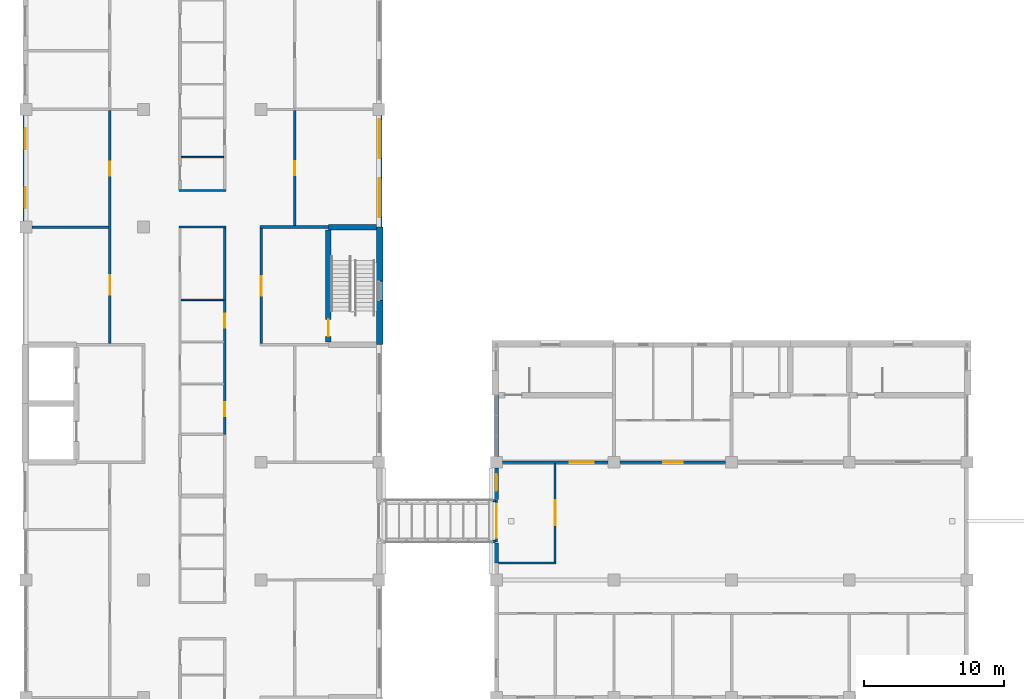
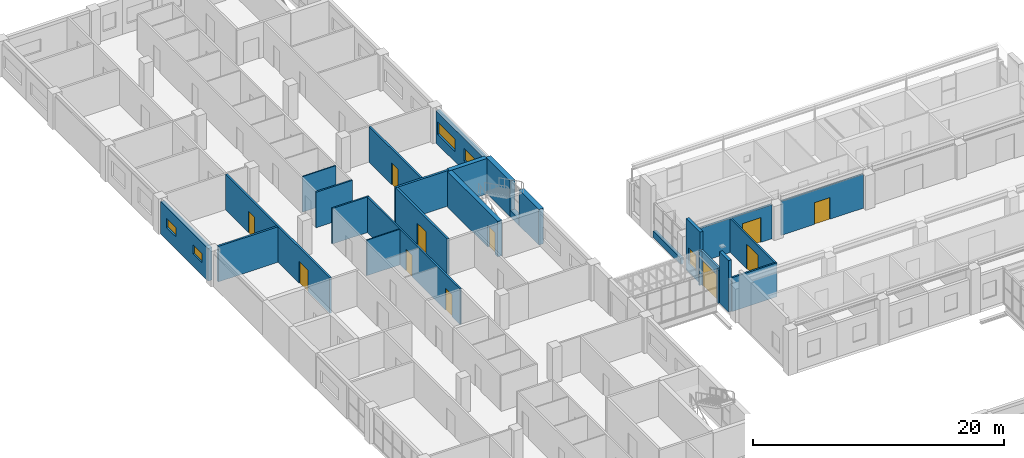
# One storey, part 66 of 94: 27 walls, 11 doors, 5 windows, 16 openings.
"""IFC4 building model written with IfcOpenShell, lengths in metres."""

import ifcopenshell
import ifcopenshell.guid

model = None  # the IFC model being written
_history = None  # IfcOwnerHistory: only IFC2X3 demands one
_inside = {}  # id of a spatial element -> (the spatial element, [elements in it])
_under = {}  # id of a project, library or spatial element -> (it, [spatial elements below it])
_declared = {}  # id of a project -> (the project, [libraries it declares])
_typed = {}  # id of a type object -> (the type object, [elements of that type])
_made_of = {}  # id of a material, layer set ... -> (it, [elements and type objects made of it])


def new_model(schema):
    """Start an empty IFC model of exactly this schema.

    Asked for "IFC4X3", IfcOpenShell would pick the latest addendum, in which some entities
    have other attributes; the version numbers below select the first issue.
    IFC2X3 requires an IfcOwnerHistory on every rooted entity: one is made here for all.
    """
    global model, _history
    if schema == "IFC4X3":
        model = ifcopenshell.file(schema_version=(4, 3, 0, 0))
    else:
        model = ifcopenshell.file(schema=schema)
    _inside.clear()
    _under.clear()
    _declared.clear()
    _typed.clear()
    _made_of.clear()
    _history = None
    if model.schema == "IFC2X3":
        org = make("IfcOrganization", Name="unknown")
        user = make(
            "IfcPersonAndOrganization",
            ThePerson=make("IfcPerson", FamilyName="unknown"),
            TheOrganization=org,
        )
        app = make(
            "IfcApplication",
            ApplicationDeveloper=org,
            Version="unknown",
            ApplicationFullName="unknown",
            ApplicationIdentifier="unknown",
        )
        _history = make(
            "IfcOwnerHistory",
            OwningUser=user,
            OwningApplication=app,
            ChangeAction="ADDED",
            CreationDate=0,
        )
    return model


def make(cls, **values):
    """One entity of the class cls with the attributes given. An attribute that is None is left unset."""
    return model.create_entity(
        cls, **{name: value for name, value in values.items() if value is not None}
    )


def rooted(cls, **values):
    """An entity with a GlobalId (a new one), such as an element, a storey or a relation."""
    return make(cls, GlobalId=ifcopenshell.guid.new(), OwnerHistory=_history, **values)


def si_unit(unit_type, name, prefix=None):
    """IfcSIUnit, for example si_unit("LENGTHUNIT", "METRE", prefix="MILLI")."""
    return make("IfcSIUnit", UnitType=unit_type, Prefix=prefix, Name=name)


def assignment(units):
    """IfcUnitAssignment: the units of a project."""
    return None if units is None else make("IfcUnitAssignment", Units=units)


def point(xyz):
    """IfcCartesianPoint."""
    return None if xyz is None else make("IfcCartesianPoint", Coordinates=xyz)


def direction(xyz):
    """IfcDirection."""
    return None if xyz is None else make("IfcDirection", DirectionRatios=xyz)


def frame(location, z_axis=None, x_axis=None):
    """IfcAxis2Placement3D, a coordinate frame: its origin and axes. An axis left out is left unset."""
    return make(
        "IfcAxis2Placement3D",
        Location=point(location),
        Axis=direction(z_axis),
        RefDirection=direction(x_axis),
    )


def frame_2d(location, x_axis=None):
    """IfcAxis2Placement2D, a coordinate frame in the plane: its origin and x axis."""
    return make(
        "IfcAxis2Placement2D", Location=point(location), RefDirection=direction(x_axis)
    )


def origin():
    """The frame at (0, 0, 0) with its axes left unset."""
    return frame((0.0, 0.0, 0.0))


def place(relative_to, where):
    """IfcLocalPlacement: puts the frame where relative to a parent placement (None: the world)."""
    return make(
        "IfcLocalPlacement", PlacementRelTo=relative_to, RelativePlacement=where
    )


def context(
    kind, dimensions, precision=None, world=None, true_north=None, identifier=None
):
    """IfcGeometricRepresentationContext, for example the 3D "Model" context."""
    return make(
        "IfcGeometricRepresentationContext",
        ContextIdentifier=identifier,
        ContextType=kind,
        CoordinateSpaceDimension=dimensions,
        Precision=precision,
        WorldCoordinateSystem=world,
        TrueNorth=true_north,
    )


def subcontext(parent, identifier, kind, view, scale=None):
    """IfcGeometricRepresentationSubContext, for example "Body" below "Model"."""
    return make(
        "IfcGeometricRepresentationSubContext",
        ContextIdentifier=identifier,
        ContextType=kind,
        ParentContext=parent,
        TargetScale=scale,
        TargetView=view,
    )


def project(units=None, contexts=None):
    """IfcProject with its units and contexts."""
    return rooted(
        "IfcProject",
        Name="project",
        RepresentationContexts=contexts,
        UnitsInContext=assignment(units),
    )


def spatial(cls, under=None, at=None, **own):
    """A site, building, storey or space (cls), placed at a placement, below another one or the project."""
    s = rooted(cls, ObjectPlacement=at, **own)
    if under is not None:
        _under.setdefault(under.id(), (under, []))[1].append(s)
    return s


def profile(cls, at=None, kind="AREA", **sizes):
    """A parametric profile (cls). Its sizes go by their IFC names, for example OverallWidth=200.0."""
    return make(cls, ProfileType=kind, Position=at, **sizes)


def rectangle(**sizes):
    """IfcRectangleProfileDef."""
    return profile("IfcRectangleProfileDef", **sizes)


def extrude(swept, where, along, depth):
    """IfcExtrudedAreaSolid: the profile swept, set in the frame where, extruded along a direction by depth."""
    return make(
        "IfcExtrudedAreaSolid",
        SweptArea=swept,
        Position=where,
        ExtrudedDirection=direction(along),
        Depth=depth,
    )


def shape(context_of_items, identifier, shape_type, items):
    """IfcShapeRepresentation: the items that make up one representation, for example the "Body"."""
    return make(
        "IfcShapeRepresentation",
        ContextOfItems=context_of_items,
        RepresentationIdentifier=identifier,
        RepresentationType=shape_type,
        Items=items,
    )


def material(Name=None, Category=None):
    """IfcMaterial."""
    return make("IfcMaterial", Name=Name, Category=Category)


def layer(
    of_material, thickness, ventilated=None, Name=None, Category=None, Priority=None
):
    """IfcMaterialLayer: one layer of a wall or slab, of a material (None: an air gap)."""
    return make(
        "IfcMaterialLayer",
        Material=of_material,
        LayerThickness=thickness,
        IsVentilated=ventilated,
        Name=Name,
        Category=Category,
        Priority=Priority,
    )


def layer_set(layers, Name=None):
    """IfcMaterialLayerSet."""
    return make("IfcMaterialLayerSet", MaterialLayers=layers, LayerSetName=Name)


def made_of(thing, what):
    """Note that an element or type object is made of a material, layer set ...; save() writes the relation."""
    if what is not None:
        _made_of.setdefault(what.id(), (what, []))[1].append(thing)
    return thing


def type_object(cls, material=None, **own):
    """A type object (cls), such as IfcWallType, which elements share."""
    return made_of(rooted(cls, **own), material)


def element(
    cls,
    number,
    at=None,
    inside=None,
    cuts=None,
    type_object=None,
    material=None,
    context=None,
    identifier="Body",
    shape_type=None,
    held_by="IfcProductDefinitionShape",
    body=None,
    shapes=None,
    **own,
):
    """One element of the class cls, such as IfcWall. Its Tag is "e" and its number.

    at: its placement. inside: the storey or other place that contains it. cuts: it is an
    opening in that element (IfcRelVoidsElement). A single representation is given by context,
    identifier, shape_type and body (its items); several are given by shapes. held_by: the class
    of the entity that holds the representations. save() writes the other relations.
    """
    e = rooted(cls, Tag="e%d" % number, ObjectPlacement=at, **own)
    if body is not None:
        shapes = [shape(context, identifier, shape_type, body)]
    if shapes is not None:
        e.Representation = make(held_by, Representations=shapes)
    if inside is not None:
        _inside.setdefault(inside.id(), (inside, []))[1].append(e)
    if cuts is not None:
        rooted(
            "IfcRelVoidsElement", RelatingBuildingElement=cuts, RelatedOpeningElement=e
        )
    if type_object is not None:
        _typed.setdefault(type_object.id(), (type_object, []))[1].append(e)
    return made_of(e, material)


def fill(opening, filler):
    """IfcRelFillsElement: the door or window that sits in an opening."""
    return rooted(
        "IfcRelFillsElement",
        RelatingOpeningElement=opening,
        RelatedBuildingElement=filler,
    )


def aggregate(whole, parts):
    """IfcRelAggregates: a whole, such as a stair, and the parts it consists of."""
    return rooted("IfcRelAggregates", RelatingObject=whole, RelatedObjects=parts)


def save(model, path):
    """Write the relations noted so far, then the file.

    IfcRelAggregates (storeys below a building ...), IfcRelContainedInSpatialStructure (elements
    in a storey), IfcRelDefinesByType, IfcRelAssociatesMaterial and IfcRelDeclares: one each for
    every whole, place, type object, material and project.
    """
    for whole, parts in _under.values():
        aggregate(whole, parts)
    for where, things in _inside.values():
        rooted(
            "IfcRelContainedInSpatialStructure",
            RelatedElements=things,
            RelatingStructure=where,
        )
    for kind, things in _typed.values():
        rooted("IfcRelDefinesByType", RelatedObjects=things, RelatingType=kind)
    for what, things in _made_of.values():
        rooted("IfcRelAssociatesMaterial", RelatedObjects=things, RelatingMaterial=what)
    for by, libraries in _declared.values():
        rooted("IfcRelDeclares", RelatingContext=by, RelatedDefinitions=libraries)
    model.write(path)


model = new_model("IFC4")

# Units and contexts
model_context = context("Model", 3, precision=1e-05, world=origin(), true_north=direction((0.0, 1.0)))
body_context = subcontext(model_context, "Body", "Model", "MODEL_VIEW")
ifc_project = project(units=[si_unit("LENGTHUNIT", "METRE"), si_unit("AREAUNIT", "SQUARE_METRE"), si_unit("VOLUMEUNIT", "CUBIC_METRE"), si_unit("PLANEANGLEUNIT", "RADIAN"), si_unit("MASSUNIT", "GRAM", prefix="KILO")], contexts=[model_context])

# Site, building, storey
site_placement = place(None, origin())
site = spatial("IfcSite", under=ifc_project, at=site_placement, CompositionType="ELEMENT")
building_placement = place(site_placement, origin())
building = spatial("IfcBuilding", under=site, at=building_placement, Name="Yavir Park General Hospital", CompositionType="ELEMENT")
storey_placement = place(building_placement, frame((0.0, 0.0, 4.5)))
storey = spatial("IfcBuildingStorey", under=building, at=storey_placement, Name="L01", CompositionType="ELEMENT", Elevation=4.5)

# Wall
ifc_material_1 = material(Name="Double-leaf gypsum board acoustic partition on staggered studs")
ifc_layer_1 = layer(ifc_material_1, 0.175048828125)
ifc_layer_set_1 = layer_set([ifc_layer_1], Name="Double-leaf gypsum board acoustic partition on staggered studs")
wall_type_1 = type_object("IfcWallType", Name="Acoustic partition 175", PredefinedType="PARTITIONING", material=ifc_layer_set_1)
wall_1_placement = place(storey_placement, frame((0.425048828125, 84.0, 0.0), z_axis=(0.0, 0.0, 1.0), x_axis=(1.0, 0.0, 0.0)))
element("IfcWall", 1, at=wall_1_placement, inside=storey, type_object=wall_type_1, Name="AP175 L01-224", PredefinedType="PARTITIONING", context=body_context, shape_type="SweptSolid", body=[
    extrude(rectangle(XDim=5.487548828125, YDim=0.175048828125, at=frame_2d((2.74365234375, 0.0))), origin(), (0.0, 0.0, 1.0), 3.449951171875),
])

# Wall, openings, doors
wall_2_placement = place(storey_placement, frame((6.0, 75.699951171875, 0.0), z_axis=(0.0, 0.0, 1.0), x_axis=(0.0, 1.0, 0.0)))
wall_2 = element("IfcWall", 2, at=wall_2_placement, inside=storey, type_object=wall_type_1, Name="AP175 L01-281", PredefinedType="PARTITIONING", context=body_context, shape_type="SweptSolid", body=[
    extrude(rectangle(XDim=16.612548828125, YDim=0.175048828125, at=frame_2d((8.30615234375, 0.0))), origin(), (0.0, 0.0, 1.0), 3.449951171875),
])
opening_1_placement = place(wall_2_placement, frame((3.449951171875, 0.0, 0.0)))
opening_1 = element("IfcOpeningElement", 3, at=opening_1_placement, cuts=wall_2, Name="Opening L01.D172", PredefinedType="OPENING", context=body_context, shape_type="SweptSolid", body=[
    extrude(rectangle(XDim=1.39990234375, YDim=2.10009765625, at=frame_2d((0.699951171875, 1.050048828125))), frame((0.0, 0.097412109375, 0.0), z_axis=(0.0, -1.0, 0.0), x_axis=(1.0, 0.0, 0.0)), (0.0, 0.0, 1.0), 0.195068359375),
])
opening_2_placement = place(wall_2_placement, frame((11.956298828125, 0.0, 0.0)))
opening_2 = element("IfcOpeningElement", 4, at=opening_2_placement, cuts=wall_2, Name="Opening L01.D173", PredefinedType="OPENING", context=body_context, shape_type="SweptSolid", body=[
    extrude(rectangle(XDim=1.0, YDim=2.10009765625, at=frame_2d((0.5, 1.050048828125))), frame((0.0, 0.097412109375, 0.0), z_axis=(0.0, -1.0, 0.0), x_axis=(1.0, 0.0, 0.0)), (0.0, 0.0, 1.0), 0.195068359375),
])
ifc_material_2 = material(Name="Sealed solid-core acoustic door leaf, Rw 42 dB")
door_type_1 = type_object("IfcDoorType", Name="Acoustic door 1000 x 2100", OperationType="SINGLE_SWING_LEFT", PredefinedType="DOOR", material=ifc_material_2)
door_1_placement = place(opening_2_placement, origin())
door_1 = element("IfcDoor", 5, at=door_1_placement, inside=storey, type_object=door_type_1, Name="L01.D173", OperationType="SINGLE_SWING_RIGHT", OverallHeight=2.10009765625, OverallWidth=1.0, PredefinedType="DOOR", context=body_context, shape_type="SweptSolid", body=[
    extrude(rectangle(XDim=1.0, YDim=2.10009765625, at=frame_2d((0.5, 1.050048828125))), frame((0.0, 0.03515625, 0.0), z_axis=(0.0, -1.0, 0.0), x_axis=(1.0, 0.0, 0.0)), (0.0, 0.0, 1.0), 0.070068359375),
])
fill(opening_2, door_1)
ifc_material_3 = material(Name="Hollow metal frame, solid-core timber leaf", Category="wood")
door_type_2 = type_object("IfcDoorType", Name="Double swing door 1400 x 2100", OperationType="DOUBLE_DOOR_SINGLE_SWING", PredefinedType="DOOR", material=ifc_material_3)
door_2_placement = place(opening_1_placement, origin())
door_2 = element("IfcDoor", 6, at=door_2_placement, inside=storey, type_object=door_type_2, Name="L01.D172", OperationType="SINGLE_SWING_LEFT", OverallHeight=2.10009765625, OverallWidth=1.39990234375, PredefinedType="DOOR", context=body_context, shape_type="SweptSolid", body=[
    extrude(rectangle(XDim=1.39990234375, YDim=2.10009765625, at=frame_2d((0.699951171875, 1.050048828125))), frame((0.0, 0.02490234375, 0.0), z_axis=(0.0, -1.0, 0.0), x_axis=(1.0, 0.0, 0.0)), (0.0, 0.0, 1.0), 0.050048828125),
])
fill(opening_1, door_2)

# Wall, opening, door
wall_3_placement = place(storey_placement, frame((19.199951171875, 84.10009765625, 0.0), z_axis=(0.0, 0.0, 1.0), x_axis=(0.0, 1.0, 0.0)))
wall_3 = element("IfcWall", 7, at=wall_3_placement, inside=storey, type_object=wall_type_1, Name="AP175 L01-311", PredefinedType="PARTITIONING", context=body_context, shape_type="SweptSolid", body=[
    extrude(rectangle(XDim=8.21240234375, YDim=0.175048828125, at=frame_2d((4.106201171875, 0.0))), origin(), (0.0, 0.0, 1.0), 3.449951171875),
])
opening_3_placement = place(wall_3_placement, frame((3.606201171875, 0.0, 0.0)))
opening_3 = element("IfcOpeningElement", 8, at=opening_3_placement, cuts=wall_3, Name="Opening L01.D217", PredefinedType="OPENING", context=body_context, shape_type="SweptSolid", body=[
    extrude(rectangle(XDim=1.0, YDim=2.10009765625, at=frame_2d((0.5, 1.050048828125))), frame((0.0, 0.097412109375, 0.0), z_axis=(0.0, -1.0, 0.0), x_axis=(1.0, 0.0, 0.0)), (0.0, 0.0, 1.0), 0.195068359375),
])
door_3_placement = place(opening_3_placement, origin())
door_3 = element("IfcDoor", 9, at=door_3_placement, inside=storey, type_object=door_type_1, Name="L01.D217", OperationType="SINGLE_SWING_LEFT", OverallHeight=2.10009765625, OverallWidth=1.0, PredefinedType="DOOR", context=body_context, shape_type="SweptSolid", body=[
    extrude(rectangle(XDim=1.0, YDim=2.10009765625, at=frame_2d((0.5, 1.050048828125))), frame((0.0, 0.03515625, 0.0), z_axis=(0.0, -1.0, 0.0), x_axis=(1.0, 0.0, 0.0)), (0.0, 0.0, 1.0), 0.070068359375),
])
fill(opening_3, door_3)

# Wall
ifc_material_4 = material(Name="Brick slip cladding on insulated block backing", Category="masonry")
ifc_layer_2 = layer(ifc_material_4, 0.27490234375)
ifc_layer_set_2 = layer_set([ifc_layer_2], Name="Brick slip cladding on insulated block backing")
wall_type_2 = type_object("IfcWallType", Name="Brick slip faced pavilion wall 275, E 30", PredefinedType="SOLIDWALL", material=ifc_layer_set_2)
wall_4_placement = place(storey_placement, frame((33.612548828125, 60.0, 0.0), z_axis=(0.0, 0.0, 1.0), x_axis=(0.0, 1.0, 0.0)))
element("IfcWall", 10, at=wall_4_placement, inside=storey, type_object=wall_type_2, Name="XW3 L01-176", PredefinedType="SOLIDWALL", context=body_context, shape_type="SweptSolid", body=[
    extrude(rectangle(XDim=1.449951171875, YDim=0.27490234375, at=frame_2d((0.72509765625, 0.0))), origin(), (0.0, 0.0, 1.0), 5.0),
])

# Wall, opening, window
wall_5_placement = place(storey_placement, frame((33.612548828125, 64.550048828125, 0.0), z_axis=(0.0, 0.0, 1.0), x_axis=(0.0, 1.0, 0.0)))
wall_5 = element("IfcWall", 11, at=wall_5_placement, inside=storey, type_object=wall_type_2, Name="XW3 L01-177", PredefinedType="SOLIDWALL", context=body_context, shape_type="SweptSolid", body=[
    extrude(rectangle(XDim=2.224853515625, YDim=0.27490234375, at=frame_2d((1.1123046875, 0.0))), origin(), (0.0, 0.0, 1.0), 5.0),
])
opening_4_placement = place(wall_5_placement, frame((0.60009765625, 0.0, 0.89990234375)))
opening_4 = element("IfcOpeningElement", 12, at=opening_4_placement, cuts=wall_5, Name="Opening WD", PredefinedType="OPENING", context=body_context, shape_type="SweptSolid", body=[
    extrude(rectangle(XDim=1.199951171875, YDim=1.5, at=frame_2d((0.60009765625, 0.75))), frame((0.0, 0.1474609375, 0.0), z_axis=(0.0, -1.0, 0.0), x_axis=(1.0, 0.0, 0.0)), (0.0, 0.0, 1.0), 0.294921875),
])
ifc_material_5 = material(Name="Aluminium frame, double glazed unit", Category="aluminium")
window_type_1 = type_object("IfcWindowType", Name="Office window 1200 x 1500", PartitioningType="SINGLE_PANEL", PredefinedType="WINDOW", material=ifc_material_5)
window_1_placement = place(opening_4_placement, origin())
window_1 = element("IfcWindow", 13, at=window_1_placement, inside=storey, type_object=window_type_1, Name="WD L01-101", OverallHeight=1.5, OverallWidth=1.199951171875, PartitioningType="SINGLE_PANEL", PredefinedType="WINDOW", context=body_context, shape_type="SweptSolid", body=[
    extrude(rectangle(XDim=1.199951171875, YDim=1.5, at=frame_2d((0.60009765625, 0.75))), frame((0.0, 0.030029296875, 0.0), z_axis=(0.0, -1.0, 0.0), x_axis=(1.0, 0.0, 0.0)), (0.0, 0.0, 1.0), 0.06005859375),
])
fill(opening_4, window_1)

# Wall
wall_6_placement = place(storey_placement, frame((33.612548828125, 67.625, 0.0), z_axis=(0.0, 0.0, 1.0), x_axis=(0.0, 1.0, 0.0)))
element("IfcWall", 14, at=wall_6_placement, inside=storey, type_object=wall_type_2, Name="XW3 L01-178", PredefinedType="SOLIDWALL", context=body_context, shape_type="SweptSolid", body=[
    extrude(rectangle(XDim=4.375, YDim=0.27490234375, at=frame_2d((2.1875, 0.0))), origin(), (0.0, 0.0, 1.0), 0.60009765625),
])

# Wall, opening, door
ifc_material_6 = material(Name="Double gypsum board fire partition on steel studs", Category="steel")
ifc_layer_3 = layer(ifc_material_6, 0.199951171875)
ifc_layer_set_3 = layer_set([ifc_layer_3], Name="Double gypsum board fire partition on steel studs")
wall_type_3 = type_object("IfcWallType", Name="Fire-rated partition 200, EI 60", PredefinedType="PARTITIONING", material=ifc_layer_set_3)
wall_7_placement = place(storey_placement, frame((34.02490234375, 67.199951171875, 0.0), z_axis=(0.0, 0.0, 1.0), x_axis=(1.0, 0.0, 0.0)))
wall_7 = element("IfcWall", 15, at=wall_7_placement, inside=storey, type_object=wall_type_3, Name="FP20 L01-190", PredefinedType="PARTITIONING", context=body_context, shape_type="SweptSolid", body=[
    extrude(rectangle(XDim=7.550048828125, YDim=0.199951171875, at=frame_2d((3.77490234375, 0.0))), origin(), (0.0, 0.0, 1.0), 3.300048828125),
])
opening_5_placement = place(wall_7_placement, frame((4.8125, 0.0, 0.0)))
opening_5 = element("IfcOpeningElement", 16, at=opening_5_placement, cuts=wall_7, Name="Opening L01.D152", PredefinedType="OPENING", context=body_context, shape_type="SweptSolid", body=[
    extrude(rectangle(XDim=1.699951171875, YDim=2.39990234375, at=frame_2d((0.85009765625, 1.199951171875))), frame((0.0, 0.10986328125, 0.0), z_axis=(0.0, -1.0, 0.0), x_axis=(1.0, 0.0, 0.0)), (0.0, 0.0, 1.0), 0.219970703125),
])
ifc_material_7 = material(Name="Steel frame, fire-resisting timber leaves", Category="steel")
door_type_3 = type_object("IfcDoorType", Name="Double fire door 1700 x 2400, EI 60", OperationType="DOUBLE_DOOR_SINGLE_SWING", PredefinedType="DOOR", material=ifc_material_7)
door_4_placement = place(opening_5_placement, origin())
door_4 = element("IfcDoor", 17, at=door_4_placement, inside=storey, type_object=door_type_3, Name="L01.D152", OperationType="SINGLE_SWING_LEFT", OverallHeight=2.39990234375, OverallWidth=1.699951171875, PredefinedType="DOOR", context=body_context, shape_type="SweptSolid", body=[
    extrude(rectangle(XDim=1.699951171875, YDim=2.39990234375, at=frame_2d((0.85009765625, 1.199951171875))), frame((0.0, 0.02490234375, 0.0), z_axis=(0.0, -1.0, 0.0), x_axis=(1.0, 0.0, 0.0)), (0.0, 0.0, 1.0), 0.050048828125),
])
fill(opening_5, door_4)

# Wall
wall_8_placement = place(storey_placement, frame((16.699951171875, 84.0, 0.0), z_axis=(0.0, 0.0, 1.0), x_axis=(1.0, 0.0, 0.0)))
element("IfcWall", 18, at=wall_8_placement, inside=storey, type_object=wall_type_3, Name="FP20 L01-226", PredefinedType="PARTITIONING", context=body_context, shape_type="SweptSolid", body=[
    extrude(rectangle(XDim=4.900146484375, YDim=0.199951171875, at=frame_2d((2.4501953125, 0.0))), origin(), (0.0, 0.0, 1.0), 3.449951171875),
])

# Wall, opening, door
wall_9_placement = place(storey_placement, frame((16.800048828125, 75.699951171875, 0.0), z_axis=(0.0, 0.0, 1.0), x_axis=(0.0, 1.0, 0.0)))
wall_9 = element("IfcWall", 19, at=wall_9_placement, inside=storey, type_object=wall_type_3, Name="FP20 L01-305", PredefinedType="PARTITIONING", context=body_context, shape_type="SweptSolid", body=[
    extrude(rectangle(XDim=8.199951171875, YDim=0.199951171875, at=frame_2d((4.10009765625, 0.0))), origin(), (0.0, 0.0, 1.0), 3.449951171875),
])
opening_6_placement = place(wall_9_placement, frame((3.39990234375, 0.0, 0.0)))
opening_6 = element("IfcOpeningElement", 20, at=opening_6_placement, cuts=wall_9, Name="Opening L01.D211", PredefinedType="OPENING", context=body_context, shape_type="SweptSolid", body=[
    extrude(rectangle(XDim=1.39990234375, YDim=2.10009765625, at=frame_2d((0.699951171875, 1.050048828125))), frame((0.0, 0.10986328125, 0.0), z_axis=(0.0, -1.0, 0.0), x_axis=(1.0, 0.0, 0.0)), (0.0, 0.0, 1.0), 0.219970703125),
])
ifc_material_8 = material(Name="Steel frame, fire-resisting leaves with vision panels", Category="steel")
door_type_4 = type_object("IfcDoorType", Name="Double fire door with vision panels 1400 x 2100, EI 60", OperationType="DOUBLE_DOOR_SINGLE_SWING", PredefinedType="DOOR", material=ifc_material_8)
door_5_placement = place(opening_6_placement, origin())
door_5 = element("IfcDoor", 21, at=door_5_placement, inside=storey, type_object=door_type_4, Name="L01.D211", OperationType="SINGLE_SWING_LEFT", OverallHeight=2.10009765625, OverallWidth=1.39990234375, PredefinedType="DOOR", context=body_context, shape_type="SweptSolid", body=[
    extrude(rectangle(XDim=1.39990234375, YDim=2.10009765625, at=frame_2d((0.699951171875, 1.050048828125))), frame((0.0, 0.030029296875, 0.0), z_axis=(0.0, -1.0, 0.0), x_axis=(1.0, 0.0, 0.0)), (0.0, 0.0, 1.0), 0.06005859375),
])
fill(opening_6, door_5)

# Walls
ifc_material_9 = material(Name="Aluminium glazing frame wall with insulated infill", Category="aluminium")
ifc_layer_4 = layer(ifc_material_9, 0.199951171875)
ifc_layer_set_4 = layer_set([ifc_layer_4], Name="Aluminium glazing frame wall with insulated infill")
wall_type_4 = type_object("IfcWallType", Name="Glazing frame wall 200, E 30", PredefinedType="SOLIDWALL", material=ifc_layer_set_4)
for number, where, z_axis, x_axis, name in (
    (22, (33.324951171875, 61.550048828125, 0.0), (0.0, 0.0, 1.0), (1.0, 0.0, 0.0), "XW9 L01-098"),
    (23, (33.324951171875, 64.449951171875, 0.0), (0.0, 0.0, 1.0), (1.0, 0.0, 0.0), "XW9 L01-100"),
):
    element("IfcWall", number, at=place(storey_placement, frame(where, z_axis=z_axis, x_axis=x_axis)), inside=storey, type_object=wall_type_4, Name=name, PredefinedType="SOLIDWALL", context=body_context, shape_type="SweptSolid", body=[
        extrude(rectangle(XDim=0.199951171875, YDim=0.199951171875, at=frame_2d((0.10009765625, 0.0))), origin(), (0.0, 0.0, 1.0), 3.25),
    ])
ifc_material_10 = material(Name="Gypsum board partition on steel studs", Category="steel")
ifc_layer_5 = layer(ifc_material_10, 0.10009765625)
ifc_layer_set_5 = layer_set([ifc_layer_5], Name="Gypsum board partition on steel studs")
wall_type_5 = type_object("IfcWallType", Name="Gypsum board partition 100", PredefinedType="PARTITIONING", material=ifc_layer_set_5)
for number, where, z_axis, x_axis, name in (
    (24, (11.074951171875, 78.800048828125, 0.0), (0.0, 0.0, 1.0), (1.0, 0.0, 0.0), "P10 L01-220"),
    (25, (11.074951171875, 89.0, 0.0), (0.0, 0.0, 1.0), (1.0, 0.0, 0.0), "P10 L01-235"),
):
    element("IfcWall", number, at=place(storey_placement, frame(where, z_axis=z_axis, x_axis=x_axis)), inside=storey, type_object=wall_type_5, Name=name, PredefinedType="PARTITIONING", context=body_context, shape_type="SweptSolid", body=[
        extrude(rectangle(XDim=3.050048828125, YDim=0.10009765625, at=frame_2d((1.52490234375, 0.0))), origin(), (0.0, 0.0, 1.0), 3.449951171875),
    ])
ifc_material_11 = material(Name="Gypsum board partition on steel studs", Category="steel")
ifc_layer_6 = layer(ifc_material_11, 0.14990234375)
ifc_layer_set_6 = layer_set([ifc_layer_6], Name="Gypsum board partition on steel studs")
wall_type_6 = type_object("IfcWallType", Name="Gypsum board partition 150", PredefinedType="PARTITIONING", material=ifc_layer_set_6)
wall_10_placement = place(storey_placement, frame((33.75, 60.0, 0.0), z_axis=(0.0, 0.0, 1.0), x_axis=(1.0, 0.0, 0.0)))
element("IfcWall", 26, at=wall_10_placement, inside=storey, type_object=wall_type_6, Name="P15 L01-179", PredefinedType="PARTITIONING", context=body_context, shape_type="SweptSolid", body=[
    extrude(rectangle(XDim=4.125, YDim=0.14990234375, at=frame_2d((2.0625, 0.0))), origin(), (0.0, 0.0, 1.0), 3.300048828125),
])

# Wall, opening, door
wall_11_placement = place(storey_placement, frame((42.425048828125, 67.199951171875, 0.0), z_axis=(0.0, 0.0, 1.0), x_axis=(1.0, 0.0, 0.0)))
wall_11 = element("IfcWall", 27, at=wall_11_placement, inside=storey, type_object=wall_type_6, Name="P15 L01-191", PredefinedType="PARTITIONING", context=body_context, shape_type="SweptSolid", body=[
    extrude(rectangle(XDim=7.550048828125, YDim=0.14990234375, at=frame_2d((3.77490234375, 0.0))), origin(), (0.0, 0.0, 1.0), 3.300048828125),
])
opening_7_placement = place(wall_11_placement, frame((3.074951171875, 0.0, 0.0)))
opening_7 = element("IfcOpeningElement", 28, at=opening_7_placement, cuts=wall_11, Name="Opening L01.D153", PredefinedType="OPENING", context=body_context, shape_type="SweptSolid", body=[
    extrude(rectangle(XDim=1.39990234375, YDim=2.10009765625, at=frame_2d((0.699951171875, 1.050048828125))), frame((0.0, 0.0849609375, 0.0), z_axis=(0.0, -1.0, 0.0), x_axis=(1.0, 0.0, 0.0)), (0.0, 0.0, 1.0), 0.169921875),
])
door_6_placement = place(opening_7_placement, origin())
door_6 = element("IfcDoor", 29, at=door_6_placement, inside=storey, type_object=door_type_2, Name="L01.D153", OperationType="SINGLE_SWING_RIGHT", OverallHeight=2.10009765625, OverallWidth=1.39990234375, PredefinedType="DOOR", context=body_context, shape_type="SweptSolid", body=[
    extrude(rectangle(XDim=1.39990234375, YDim=2.10009765625, at=frame_2d((0.699951171875, 1.050048828125))), frame((0.0, 0.02490234375, 0.0), z_axis=(0.0, -1.0, 0.0), x_axis=(1.0, 0.0, 0.0)), (0.0, 0.0, 1.0), 0.050048828125),
])
fill(opening_7, door_6)

# Walls
for number, where, z_axis, x_axis, name in (
    (30, (10.925048828125, 84.0, 0.0), (0.0, 0.0, 1.0), (1.0, 0.0, 0.0), "P15 L01-225"),
    (31, (10.925048828125, 86.60009765625, 0.0), (0.0, 0.0, 1.0), (1.0, 0.0, 0.0), "P15 L01-233"),
):
    element("IfcWall", number, at=place(storey_placement, frame(where, z_axis=z_axis, x_axis=x_axis)), inside=storey, type_object=wall_type_6, Name=name, PredefinedType="PARTITIONING", context=body_context, shape_type="SweptSolid", body=[
        extrude(rectangle(XDim=3.349853515625, YDim=0.14990234375, at=frame_2d((1.6748046875, 0.0))), origin(), (0.0, 0.0, 1.0), 3.449951171875),
    ])

# Wall, openings, doors
wall_12_placement = place(storey_placement, frame((14.199951171875, 69.199951171875, 0.0), z_axis=(0.0, 0.0, 1.0), x_axis=(0.0, 1.0, 0.0)))
wall_12 = element("IfcWall", 32, at=wall_12_placement, inside=storey, type_object=wall_type_6, Name="P15 L01-298", PredefinedType="PARTITIONING", context=body_context, shape_type="SweptSolid", body=[
    extrude(rectangle(XDim=14.72509765625, YDim=0.14990234375, at=frame_2d((7.362548828125, 0.0))), origin(), (0.0, 0.0, 1.0), 3.449951171875),
])
opening_8_placement = place(wall_12_placement, frame((1.300048828125, 0.0, 0.0)))
opening_8 = element("IfcOpeningElement", 33, at=opening_8_placement, cuts=wall_12, Name="Opening L01.D201", PredefinedType="OPENING", context=body_context, shape_type="SweptSolid", body=[
    extrude(rectangle(XDim=1.0, YDim=2.10009765625, at=frame_2d((0.5, 1.050048828125))), frame((0.0, 0.0849609375, 0.0), z_axis=(0.0, -1.0, 0.0), x_axis=(1.0, 0.0, 0.0)), (0.0, 0.0, 1.0), 0.169921875),
])
opening_9_placement = place(wall_12_placement, frame((7.60009765625, 0.0, 0.0)))
opening_9 = element("IfcOpeningElement", 34, at=opening_9_placement, cuts=wall_12, Name="Opening L01.D202", PredefinedType="OPENING", context=body_context, shape_type="SweptSolid", body=[
    extrude(rectangle(XDim=1.0, YDim=2.10009765625, at=frame_2d((0.5, 1.050048828125))), frame((0.0, 0.0849609375, 0.0), z_axis=(0.0, -1.0, 0.0), x_axis=(1.0, 0.0, 0.0)), (0.0, 0.0, 1.0), 0.169921875),
])
ifc_material_12 = material(Name="Hollow metal frame, solid-core timber leaf", Category="wood")
door_type_5 = type_object("IfcDoorType", Name="Single swing door 1000 x 2100", OperationType="SINGLE_SWING_LEFT", PredefinedType="DOOR", material=ifc_material_12)
door_7_placement = place(opening_8_placement, origin())
door_7 = element("IfcDoor", 35, at=door_7_placement, inside=storey, type_object=door_type_5, Name="L01.D201", OperationType="SINGLE_SWING_RIGHT", OverallHeight=2.10009765625, OverallWidth=1.0, PredefinedType="DOOR", context=body_context, shape_type="SweptSolid", body=[
    extrude(rectangle(XDim=1.0, YDim=2.10009765625, at=frame_2d((0.5, 1.050048828125))), frame((0.0, 0.02490234375, 0.0), z_axis=(0.0, -1.0, 0.0), x_axis=(1.0, 0.0, 0.0)), (0.0, 0.0, 1.0), 0.050048828125),
])
fill(opening_8, door_7)
door_8_placement = place(opening_9_placement, origin())
door_8 = element("IfcDoor", 36, at=door_8_placement, inside=storey, type_object=door_type_5, Name="L01.D202", OperationType="SINGLE_SWING_RIGHT", OverallHeight=2.10009765625, OverallWidth=1.0, PredefinedType="DOOR", context=body_context, shape_type="SweptSolid", body=[
    extrude(rectangle(XDim=1.0, YDim=2.10009765625, at=frame_2d((0.5, 1.050048828125))), frame((0.0, 0.02490234375, 0.0), z_axis=(0.0, -1.0, 0.0), x_axis=(1.0, 0.0, 0.0)), (0.0, 0.0, 1.0), 0.050048828125),
])
fill(opening_9, door_8)

# Wall, opening, door
wall_13_placement = place(storey_placement, frame((33.60009765625, 61.5, 0.0), z_axis=(0.0, 0.0, 1.0), x_axis=(0.0, 1.0, 0.0)))
wall_13 = element("IfcWall", 37, at=wall_13_placement, inside=storey, type_object=wall_type_6, Name="P15 L01-331", PredefinedType="PARTITIONING", context=body_context, shape_type="SweptSolid", body=[
    extrude(rectangle(XDim=3.0, YDim=0.14990234375, at=frame_2d((1.5, 0.0))), origin(), (0.0, 0.0, 1.0), 3.300048828125),
])
opening_10_placement = place(wall_13_placement, frame((0.300048828125, 0.0, 0.0)))
opening_10 = element("IfcOpeningElement", 38, at=opening_10_placement, cuts=wall_13, Name="Opening L01.D228", PredefinedType="OPENING", context=body_context, shape_type="SweptSolid", body=[
    extrude(rectangle(XDim=2.39990234375, YDim=2.39990234375, at=frame_2d((1.199951171875, 1.199951171875))), frame((0.0, 0.0849609375, 0.0), z_axis=(0.0, -1.0, 0.0), x_axis=(1.0, 0.0, 0.0)), (0.0, 0.0, 1.0), 0.169921875),
])
ifc_material_13 = material(Name="Aluminium frame, toughened glass leaves", Category="aluminium")
door_type_6 = type_object("IfcDoorType", Name="Double sliding door 2400 x 2400", OperationType="DOUBLE_DOOR_SLIDING", PredefinedType="DOOR", material=ifc_material_13)
door_9_placement = place(opening_10_placement, origin())
door_9 = element("IfcDoor", 39, at=door_9_placement, inside=storey, type_object=door_type_6, Name="L01.D228", OperationType="DOUBLE_DOOR_SLIDING", OverallHeight=2.39990234375, OverallWidth=2.39990234375, PredefinedType="DOOR", context=body_context, shape_type="SweptSolid", body=[
    extrude(rectangle(XDim=2.39990234375, YDim=2.39990234375, at=frame_2d((1.199951171875, 1.199951171875))), frame((0.0, 0.02490234375, 0.0), z_axis=(0.0, -1.0, 0.0), x_axis=(1.0, 0.0, 0.0)), (0.0, 0.0, 1.0), 0.050048828125),
])
fill(opening_10, door_9)

wall_14_placement = place(storey_placement, frame((37.800048828125, 60.074951171875, 0.0), z_axis=(0.0, 0.0, 1.0), x_axis=(0.0, 1.0, 0.0)))
wall_14 = element("IfcWall", 40, at=wall_14_placement, inside=storey, type_object=wall_type_6, Name="P15 L01-333", PredefinedType="PARTITIONING", context=body_context, shape_type="SweptSolid", body=[
    extrude(rectangle(XDim=7.025146484375, YDim=0.14990234375, at=frame_2d((3.5126953125, 0.0))), origin(), (0.0, 0.0, 1.0), 3.300048828125),
])
opening_11_placement = place(wall_14_placement, frame((2.612548828125, 0.0, 0.0)))
opening_11 = element("IfcOpeningElement", 41, at=opening_11_placement, cuts=wall_14, Name="Opening L01.D229", PredefinedType="OPENING", context=body_context, shape_type="SweptSolid", body=[
    extrude(rectangle(XDim=1.800048828125, YDim=2.39990234375, at=frame_2d((0.89990234375, 1.199951171875))), frame((0.0, 0.0849609375, 0.0), z_axis=(0.0, -1.0, 0.0), x_axis=(1.0, 0.0, 0.0)), (0.0, 0.0, 1.0), 0.169921875),
])
ifc_material_14 = material(Name="Hollow metal frame, solid-core timber leaf", Category="wood")
door_type_7 = type_object("IfcDoorType", Name="Double swing door 1800 x 2400", OperationType="DOUBLE_DOOR_SINGLE_SWING", PredefinedType="DOOR", material=ifc_material_14)
door_10_placement = place(opening_11_placement, origin())
door_10 = element("IfcDoor", 42, at=door_10_placement, inside=storey, type_object=door_type_7, Name="L01.D229", OperationType="SINGLE_SWING_RIGHT", OverallHeight=2.39990234375, OverallWidth=1.800048828125, PredefinedType="DOOR", context=body_context, shape_type="SweptSolid", body=[
    extrude(rectangle(XDim=1.800048828125, YDim=2.39990234375, at=frame_2d((0.89990234375, 1.199951171875))), frame((0.0, 0.02490234375, 0.0), z_axis=(0.0, -1.0, 0.0), x_axis=(1.0, 0.0, 0.0)), (0.0, 0.0, 1.0), 0.050048828125),
])
fill(opening_11, door_10)

# Wall, openings, windows
ifc_material_15 = material(Name="Autoclaved aerated block, 150 mm mineral wool and sand-coloured mineral render")
ifc_layer_7 = layer(ifc_material_15, 0.375)
ifc_layer_set_7 = layer_set([ifc_layer_7], Name="Autoclaved aerated block, 150 mm mineral wool and sand-coloured mineral render")
wall_type_7 = type_object("IfcWallType", Name="Mineral render clinical wall 375, E 30", PredefinedType="SOLIDWALL", material=ifc_layer_set_7)
wall_15_placement = place(storey_placement, frame((-0.03759765625, 84.425048828125, 0.0), z_axis=(0.0, 0.0, 1.0), x_axis=(0.0, 1.0, 0.0)))
wall_15 = element("IfcWall", 43, at=wall_15_placement, inside=storey, type_object=wall_type_7, Name="XW1 L01-148", PredefinedType="SOLIDWALL", context=body_context, shape_type="SweptSolid", body=[
    extrude(rectangle(XDim=7.550048828125, YDim=0.375, at=frame_2d((3.77490234375, 0.0))), origin(), (0.0, 0.0, 1.0), 3.14990234375),
])
opening_12_placement = place(wall_15_placement, frame((0.925048828125, 0.0, 1.199951171875)))
opening_12 = element("IfcOpeningElement", 44, at=opening_12_placement, cuts=wall_15, Name="Opening WK3", PredefinedType="OPENING", context=body_context, shape_type="SweptSolid", body=[
    extrude(rectangle(XDim=1.5, YDim=0.89990234375, at=frame_2d((0.75, 0.449951171875))), frame((0.0, 0.197509765625, 0.0), z_axis=(0.0, -1.0, 0.0), x_axis=(1.0, 0.0, 0.0)), (0.0, 0.0, 1.0), 0.39501953125),
])
opening_13_placement = place(wall_15_placement, frame((5.125, 0.0, 1.199951171875)))
opening_13 = element("IfcOpeningElement", 45, at=opening_13_placement, cuts=wall_15, Name="Opening WK3", PredefinedType="OPENING", context=body_context, shape_type="SweptSolid", body=[
    extrude(rectangle(XDim=1.5, YDim=0.89990234375, at=frame_2d((0.75, 0.449951171875))), frame((0.0, 0.197509765625, 0.0), z_axis=(0.0, -1.0, 0.0), x_axis=(1.0, 0.0, 0.0)), (0.0, 0.0, 1.0), 0.39501953125),
])
ifc_material_16 = material(Name="Aluminium frame, double glazed unit", Category="aluminium")
window_type_2 = type_object("IfcWindowType", Name="Kitchen service window 1500 x 900", PartitioningType="DOUBLE_PANEL_VERTICAL", PredefinedType="WINDOW", material=ifc_material_16)
window_2_placement = place(opening_12_placement, origin())
window_2 = element("IfcWindow", 46, at=window_2_placement, inside=storey, type_object=window_type_2, Name="WK3 L01-082", OverallHeight=0.89990234375, OverallWidth=1.5, PartitioningType="DOUBLE_PANEL_VERTICAL", PredefinedType="WINDOW", context=body_context, shape_type="SweptSolid", body=[
    extrude(rectangle(XDim=1.5, YDim=0.89990234375, at=frame_2d((0.75, 0.449951171875))), frame((0.0, 0.030029296875, 0.0), z_axis=(0.0, -1.0, 0.0), x_axis=(1.0, 0.0, 0.0)), (0.0, 0.0, 1.0), 0.06005859375),
])
fill(opening_12, window_2)
window_3_placement = place(opening_13_placement, origin())
window_3 = element("IfcWindow", 47, at=window_3_placement, inside=storey, type_object=window_type_2, Name="WK3 L01-083", OverallHeight=0.89990234375, OverallWidth=1.5, PartitioningType="DOUBLE_PANEL_VERTICAL", PredefinedType="WINDOW", context=body_context, shape_type="SweptSolid", body=[
    extrude(rectangle(XDim=1.5, YDim=0.89990234375, at=frame_2d((0.75, 0.449951171875))), frame((0.0, 0.030029296875, 0.0), z_axis=(0.0, -1.0, 0.0), x_axis=(1.0, 0.0, 0.0)), (0.0, 0.0, 1.0), 0.06005859375),
])
fill(opening_13, window_3)

wall_16_placement = place(storey_placement, frame((25.237548828125, 84.0, 0.0), z_axis=(0.0, 0.0, 1.0), x_axis=(0.0, 1.0, 0.0)))
wall_16 = element("IfcWall", 48, at=wall_16_placement, inside=storey, type_object=wall_type_7, Name="XW1 L01-166", PredefinedType="SOLIDWALL", context=body_context, shape_type="SweptSolid", body=[
    extrude(rectangle(XDim=7.97509765625, YDim=0.375, at=frame_2d((3.987548828125, 0.0))), origin(), (0.0, 0.0, 1.0), 3.14990234375),
])
opening_14_placement = place(wall_16_placement, frame((0.699951171875, 0.0, 1.0)))
opening_14 = element("IfcOpeningElement", 49, at=opening_14_placement, cuts=wall_16, Name="Opening WRB", PredefinedType="OPENING", context=body_context, shape_type="SweptSolid", body=[
    extrude(rectangle(XDim=2.800048828125, YDim=1.199951171875, at=frame_2d((1.39990234375, 0.60009765625))), frame((0.0, 0.197509765625, 0.0), z_axis=(0.0, -1.0, 0.0), x_axis=(1.0, 0.0, 0.0)), (0.0, 0.0, 1.0), 0.39501953125),
])
opening_15_placement = place(wall_16_placement, frame((4.89990234375, 0.0, 1.0)))
opening_15 = element("IfcOpeningElement", 50, at=opening_15_placement, cuts=wall_16, Name="Opening WRB", PredefinedType="OPENING", context=body_context, shape_type="SweptSolid", body=[
    extrude(rectangle(XDim=2.800048828125, YDim=1.199951171875, at=frame_2d((1.39990234375, 0.60009765625))), frame((0.0, 0.197509765625, 0.0), z_axis=(0.0, -1.0, 0.0), x_axis=(1.0, 0.0, 0.0)), (0.0, 0.0, 1.0), 0.39501953125),
])
ifc_material_17 = material(Name="Aluminium frame, double glazed unit", Category="aluminium")
window_type_3 = type_object("IfcWindowType", Name="Ribbon window 2800 x 1200", PartitioningType="DOUBLE_PANEL_VERTICAL", PredefinedType="WINDOW", material=ifc_material_17)
window_4_placement = place(opening_14_placement, origin())
window_4 = element("IfcWindow", 51, at=window_4_placement, inside=storey, type_object=window_type_3, Name="WRB L01-094", OverallHeight=1.199951171875, OverallWidth=2.800048828125, PartitioningType="DOUBLE_PANEL_VERTICAL", PredefinedType="WINDOW", context=body_context, shape_type="SweptSolid", body=[
    extrude(rectangle(XDim=2.800048828125, YDim=1.199951171875, at=frame_2d((1.39990234375, 0.60009765625))), frame((0.0, 0.030029296875, 0.0), z_axis=(0.0, -1.0, 0.0), x_axis=(1.0, 0.0, 0.0)), (0.0, 0.0, 1.0), 0.06005859375),
])
fill(opening_14, window_4)
window_5_placement = place(opening_15_placement, origin())
window_5 = element("IfcWindow", 52, at=window_5_placement, inside=storey, type_object=window_type_3, Name="WRB L01-095", OverallHeight=1.199951171875, OverallWidth=2.800048828125, PartitioningType="DOUBLE_PANEL_VERTICAL", PredefinedType="WINDOW", context=body_context, shape_type="SweptSolid", body=[
    extrude(rectangle(XDim=2.800048828125, YDim=1.199951171875, at=frame_2d((1.39990234375, 0.60009765625))), frame((0.0, 0.030029296875, 0.0), z_axis=(0.0, -1.0, 0.0), x_axis=(1.0, 0.0, 0.0)), (0.0, 0.0, 1.0), 0.06005859375),
])
fill(opening_15, window_5)

# Wall
ifc_material_18 = material(Name="Concrete C35/45", Category="concrete")
ifc_layer_8 = layer(ifc_material_18, 0.39990234375)
ifc_layer_set_8 = layer_set([ifc_layer_8], Name="Concrete C35/45")
wall_type_8 = type_object("IfcWallType", Name="Reinforced concrete core wall 400, REI 150", PredefinedType="SHEAR", material=ifc_layer_set_8)
wall_17_placement = place(storey_placement, frame((21.60009765625, 84.0, 0.0), z_axis=(0.0, 0.0, 1.0), x_axis=(1.0, 0.0, 0.0)))
element("IfcWall", 53, at=wall_17_placement, inside=storey, type_object=wall_type_8, Name="CW40 L01-227", PredefinedType="SHEAR", context=body_context, shape_type="SweptSolid", body=[
    extrude(rectangle(XDim=3.449951171875, YDim=0.39990234375, at=frame_2d((1.72509765625, 0.0))), origin(), (0.0, 0.0, 1.0), 3.449951171875),
])

# Wall, opening, door
wall_18_placement = place(storey_placement, frame((21.60009765625, 75.800048828125, 0.0), z_axis=(0.0, 0.0, 1.0), x_axis=(0.0, 1.0, 0.0)))
wall_18 = element("IfcWall", 54, at=wall_18_placement, inside=storey, type_object=wall_type_8, Name="CW40 L01-315", PredefinedType="SHEAR", context=body_context, shape_type="SweptSolid", body=[
    extrude(rectangle(XDim=8.0, YDim=0.39990234375, at=frame_2d((4.0, 0.0))), origin(), (0.0, 0.0, 1.0), 3.449951171875),
])
opening_16_placement = place(wall_18_placement, frame((0.39990234375, 0.0, 0.0)))
opening_16 = element("IfcOpeningElement", 55, at=opening_16_placement, cuts=wall_18, Name="Opening L01.D222", PredefinedType="OPENING", context=body_context, shape_type="SweptSolid", body=[
    extrude(rectangle(XDim=1.199951171875, YDim=2.10009765625, at=frame_2d((0.60009765625, 1.050048828125))), frame((0.0, 0.2099609375, 0.0), z_axis=(0.0, -1.0, 0.0), x_axis=(1.0, 0.0, 0.0)), (0.0, 0.0, 1.0), 0.419921875),
])
ifc_material_19 = material(Name="Steel frame, fire-resisting timber leaf", Category="steel")
door_type_8 = type_object("IfcDoorType", Name="Fire door 1200 x 2100, EI 60", OperationType="SINGLE_SWING_LEFT", PredefinedType="DOOR", material=ifc_material_19)
door_11_placement = place(opening_16_placement, origin())
door_11 = element("IfcDoor", 56, at=door_11_placement, inside=storey, type_object=door_type_8, Name="L01.D222", OperationType="SINGLE_SWING_LEFT", OverallHeight=2.10009765625, OverallWidth=1.199951171875, PredefinedType="DOOR", context=body_context, shape_type="SweptSolid", body=[
    extrude(rectangle(XDim=1.199951171875, YDim=2.10009765625, at=frame_2d((0.60009765625, 1.050048828125))), frame((0.0, 0.02490234375, 0.0), z_axis=(0.0, -1.0, 0.0), x_axis=(1.0, 0.0, 0.0)), (0.0, 0.0, 1.0), 0.050048828125),
])
fill(opening_16, door_11)

# Walls
ifc_material_20 = material(Name="Concrete C30/37 precast panel with 150 mm mineral wool insulation", Category="concrete")
ifc_layer_9 = layer(ifc_material_20, 0.449951171875)
ifc_layer_set_9 = layer_set([ifc_layer_9], Name="Concrete C30/37 precast panel with 150 mm mineral wool insulation")
wall_type_9 = type_object("IfcWallType", Name="Stair enclosure wall 450, REI 150", PredefinedType="SOLIDWALL", material=ifc_layer_set_9)
wall_19_placement = place(storey_placement, frame((25.27490234375, 75.60009765625, 0.0), z_axis=(0.0, 0.0, 1.0), x_axis=(0.0, 1.0, 0.0)))
element("IfcWall", 57, at=wall_19_placement, inside=storey, type_object=wall_type_9, Name="XW6 L01-163", PredefinedType="SOLIDWALL", context=body_context, shape_type="SweptSolid", body=[
    extrude(rectangle(XDim=3.14990234375, YDim=0.449951171875, at=frame_2d((1.574951171875, 0.0))), origin(), (0.0, 0.0, 1.0), 3.449951171875),
])
wall_20_placement = place(storey_placement, frame((25.27490234375, 80.14990234375, 0.0), z_axis=(0.0, 0.0, 1.0), x_axis=(0.0, 1.0, 0.0)))
element("IfcWall", 58, at=wall_20_placement, inside=storey, type_object=wall_type_9, Name="XW6 L01-164", PredefinedType="SOLIDWALL", context=body_context, shape_type="SweptSolid", body=[
    extrude(rectangle(XDim=3.85009765625, YDim=0.449951171875, at=frame_2d((1.925048828125, 0.0))), origin(), (0.0, 0.0, 1.0), 3.449951171875),
])
wall_21_placement = place(storey_placement, frame((25.27490234375, 78.75, 0.0), z_axis=(0.0, 0.0, 1.0), x_axis=(0.0, 1.0, 0.0)))
element("IfcWall", 59, at=wall_21_placement, inside=storey, type_object=wall_type_9, Name="XW6 L01-165", PredefinedType="SOLIDWALL", context=body_context, shape_type="SweptSolid", body=[
    extrude(rectangle(XDim=1.39990234375, YDim=0.449951171875, at=frame_2d((0.699951171875, 0.0))), origin(), (0.0, 0.0, 1.0), 0.60009765625),
])

save(model, "model.ifc")
